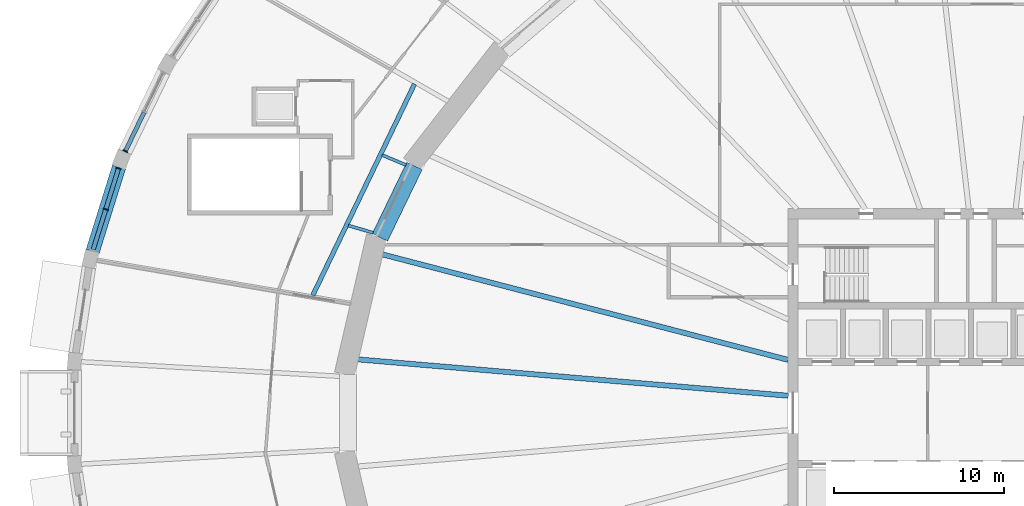
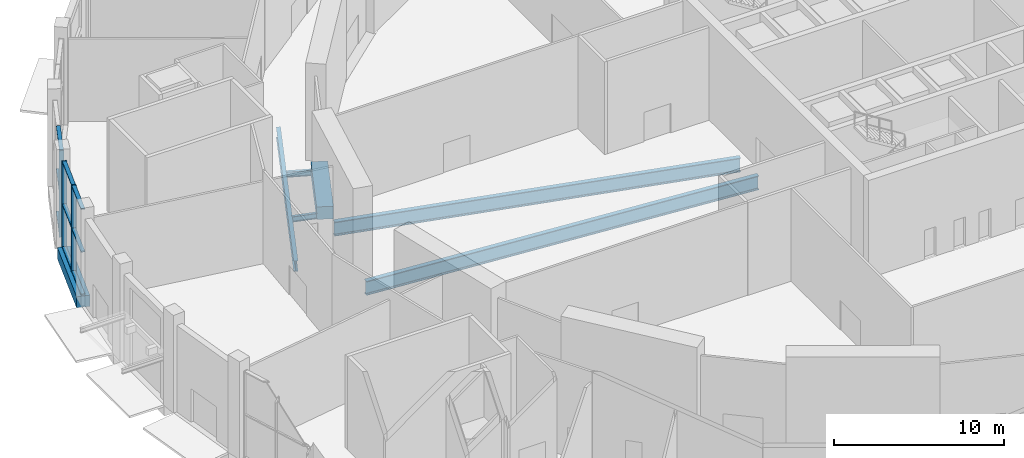
# One storey, part 5 of 33: 12 members, 7 beams, 2 elements without a shape of their own.
"""IFC4 building model written with IfcOpenShell, lengths in metres."""

from ifc_helpers import new_model, si_unit, direction, frame, origin, origin_2d, place, context, subcontext, project, spatial, rectangle, i_section, extrude, material, material_profile, profile_set, type_object, element, aggregate, save


model = new_model("IFC4")

# Units and contexts
model_context = context("Model", 3, precision=1e-05, world=origin(), true_north=direction((0.0, 1.0)))
body_context = subcontext(model_context, "Body", "Model", "MODEL_VIEW")
ifc_project = project(units=[si_unit("LENGTHUNIT", "METRE"), si_unit("AREAUNIT", "SQUARE_METRE"), si_unit("VOLUMEUNIT", "CUBIC_METRE"), si_unit("PLANEANGLEUNIT", "RADIAN"), si_unit("MASSUNIT", "GRAM", prefix="KILO")], contexts=[model_context])

# Site, building, storey
site_placement = place(None, origin())
site = spatial("IfcSite", under=ifc_project, at=site_placement, CompositionType="ELEMENT")
building_placement = place(site_placement, origin())
building = spatial("IfcBuilding", under=site, at=building_placement, Name="Halqa Exchange Tower", CompositionType="ELEMENT")
storey_placement = place(building_placement, origin())
storey = spatial("IfcBuildingStorey", under=building, at=storey_placement, Name="L00", CompositionType="ELEMENT", Elevation=0.0)

# Beams
ifc_material_1 = material(Name="Steel S355", Category="steel")
ifc_material_profile_1 = material_profile(ifc_material_1, i_section(OverallWidth=0.302001953125, OverallDepth=1.008056640625, WebThickness=0.02099609375, FlangeThickness=0.0400390625, FilletRadius=0.030029296875, at=origin_2d()), Name="HEM 1000")
ifc_profile_set_1 = profile_set([ifc_material_profile_1], Name="Steel S355")
beam_type_1 = type_object("IfcBeamType", Name="Floor beam HEM 1000", PredefinedType="BEAM", material=ifc_profile_set_1)
beam_1_placement = place(storey_placement, frame((-11.971435546875, 3.11279296875, -0.9541015625), z_axis=(-0.967821064299, 0.251639399735, 0.0), x_axis=(-0.251639399735, -0.967821064299, 0.0)))
element("IfcBeam", 1, at=beam_1_placement, inside=storey, type_object=beam_type_1, Name="Radial beam 15", PredefinedType="BEAM", context=body_context, shape_type="SweptSolid", body=[
    extrude(i_section(OverallWidth=0.302001953125, OverallDepth=1.008056640625, WebThickness=0.02099609375, FlangeThickness=0.0400390625, FilletRadius=0.030029296875, at=origin_2d()), origin(), (0.0, 0.0, 1.0), 24.7314453125),
])
beam_2_placement = place(storey_placement, frame((-11.972412109375, 1.0107421875, -0.9541015625), z_axis=(-0.996455167327, 0.084125498561, 0.0), x_axis=(-0.084125498561, -0.996455167327, 0.0)))
element("IfcBeam", 2, at=beam_2_placement, inside=storey, type_object=beam_type_1, Name="Radial beam 16", PredefinedType="BEAM", context=body_context, shape_type="SweptSolid", body=[
    extrude(i_section(OverallWidth=0.302001953125, OverallDepth=1.008056640625, WebThickness=0.02099609375, FlangeThickness=0.0400390625, FilletRadius=0.030029296875, at=origin_2d()), origin(), (0.0, 0.0, 1.0), 25.460205078125),
])
ifc_material_profile_2 = material_profile(ifc_material_1, i_section(OverallWidth=0.179931640625, OverallDepth=0.39990234375, WebThickness=0.008544921875, FlangeThickness=0.013427734375, FilletRadius=0.02099609375, at=origin_2d()), Name="IPE 400")
ifc_profile_set_2 = profile_set([ifc_material_profile_2], Name="Steel S355")
beam_type_2 = type_object("IfcBeamType", Name="Floor beam IPE 400", PredefinedType="BEAM", material=ifc_profile_set_2)
beam_3_placement = place(storey_placement, frame((-34.423583984375, 14.555419921875, -0.64990234375), z_axis=(-0.921076708702, 0.389381171459, 0.0), x_axis=(-0.389381171459, -0.921076708702, 0.0)))
element("IfcBeam", 3, at=beam_3_placement, inside=storey, type_object=beam_type_2, Name="Radial beam 21a", PredefinedType="BEAM", context=body_context, shape_type="SweptSolid", body=[
    extrude(i_section(OverallWidth=0.179931640625, OverallDepth=0.39990234375, WebThickness=0.008544921875, FlangeThickness=0.013427734375, FilletRadius=0.02099609375, at=origin_2d()), origin(), (0.0, 0.0, 1.0), 1.5078125),
])
beam_4_placement = place(storey_placement, frame((-36.34521484375, 10.578369140625, -0.64990234375), z_axis=(-0.960174163417, 0.279402175917, 0.0), x_axis=(-0.279402175917, -0.960174163417, 0.0)))
element("IfcBeam", 4, at=beam_4_placement, inside=storey, type_object=beam_type_2, Name="Radial beam 22a", PredefinedType="BEAM", context=body_context, shape_type="SweptSolid", body=[
    extrude(i_section(OverallWidth=0.179931640625, OverallDepth=0.39990234375, WebThickness=0.008544921875, FlangeThickness=0.013427734375, FilletRadius=0.02099609375, at=origin_2d()), origin(), (0.0, 0.0, 1.0), 1.521240234375),
])
ifc_material_profile_3 = material_profile(ifc_material_1, i_section(OverallWidth=0.264892578125, OverallDepth=0.7529296875, WebThickness=0.01318359375, FlangeThickness=0.01708984375, FilletRadius=0.01708984375, at=origin_2d()), Name="IPE 750x147")
ifc_profile_set_3 = profile_set([ifc_material_profile_3], Name="Steel S355")
beam_type_3 = type_object("IfcBeamType", Name="Floor beam IPE 750x147", PredefinedType="BEAM", material=ifc_profile_set_3)
beam_5_placement = place(storey_placement, frame((-33.92041015625, 19.3134765625, -0.826416015625), z_axis=(-0.433856142987, -0.900982156978, 0.0), x_axis=(0.900982156978, -0.433856142987, 0.0)))
element("IfcBeam", 5, at=beam_5_placement, inside=storey, type_object=beam_type_3, Name="Radial beam TSS3-in", PredefinedType="BEAM", context=body_context, shape_type="SweptSolid", body=[
    extrude(i_section(OverallWidth=0.264892578125, OverallDepth=0.7529296875, WebThickness=0.01318359375, FlangeThickness=0.01708984375, FilletRadius=0.01708984375, at=origin_2d()), origin(), (0.0, 0.0, 1.0), 13.766357421875),
])
ifc_material_2 = material(Name="Concrete C60/75", Category="concrete")
ifc_material_profile_4 = material_profile(ifc_material_2, rectangle(XDim=0.800048828125, YDim=0.800048828125, at=origin_2d()), Name="800 x 800")
ifc_profile_set_4 = profile_set([ifc_material_profile_4], Name="Concrete C60/75")
beam_type_4 = type_object("IfcBeamType", Name="RC podium edge beam 800 x 800 C60/75", PredefinedType="SPANDREL", material=ifc_profile_set_4)
beam_6_placement = place(storey_placement, frame((-51.275390625, 14.430419921875, -0.39990234375), z_axis=(-0.298331338153, -0.954462368392, 0.0), x_axis=(0.954462368392, -0.298331338153, 0.0)))
element("IfcBeam", 6, at=beam_6_placement, inside=storey, type_object=beam_type_4, Name="Podium edge beam 22", PredefinedType="SPANDREL", context=body_context, shape_type="SweptSolid", body=[
    extrude(rectangle(XDim=0.800048828125, YDim=0.800048828125, at=origin_2d()), origin(), (0.0, 0.0, 1.0), 5.180908203125),
])
ifc_material_profile_5 = material_profile(ifc_material_2, rectangle(XDim=1.0, YDim=0.89990234375, at=origin_2d()), Name="1000 x 900")
ifc_profile_set_5 = profile_set([ifc_material_profile_5], Name="Concrete C60/75")
beam_type_5 = type_object("IfcBeamType", Name="RC spandrel beam 1000 x 900 C60/75", PredefinedType="SPANDREL", material=ifc_profile_set_5)
beam_7_placement = place(storey_placement, frame((-33.923095703125, 14.505615234375, -0.449951171875), z_axis=(-0.435068215878, -0.900397494184, 0.0), x_axis=(0.900397494184, -0.435068215878, 0.0)))
element("IfcBeam", 7, at=beam_7_placement, inside=storey, type_object=beam_type_5, Name="Spandrel 14", PredefinedType="SPANDREL", context=body_context, shape_type="SweptSolid", body=[
    extrude(rectangle(XDim=1.0, YDim=0.89990234375, at=origin_2d()), origin(), (0.0, 0.0, 1.0), 4.6630859375),
])

# Curtain wall, member
ifc_material_3 = material(Name="Anodised aluminium and clear glass", Category="aluminium")
curtain_wall_type = type_object("IfcCurtainWallType", Name="Station concourse glazing", PredefinedType="NOTDEFINED", material=ifc_material_3)
curtain_wall_1_placement = place(storey_placement, origin())
curtain_wall_1 = element("IfcCurtainWall", 8, at=curtain_wall_1_placement, inside=storey, type_object=curtain_wall_type, Name="Station concourse glazing run P21", PredefinedType="NOTDEFINED")
ifc_material_4 = material(Name="Anodised aluminium", Category="aluminium")
ifc_material_profile_6 = material_profile(ifc_material_4, rectangle(XDim=0.300048828125, YDim=0.080078125, at=origin_2d()), Name="AL 80x300")
ifc_profile_set_6 = profile_set([ifc_material_profile_6], Name="Anodised aluminium")
member_type_1 = type_object("IfcMemberType", Name="Station concourse glazing mullion 80 x 300", PredefinedType="MULLION", material=ifc_profile_set_6)
member_1_placement = place(storey_placement, frame((-50.8994140625, 15.368896484375, 0.0), z_axis=(0.0, 0.0, 1.0), x_axis=(0.90043534892, -0.434989864727, 0.0)))
member_1 = element("IfcMember", 9, at=member_1_placement, type_object=member_type_1, Name="P21 mullion 3", PredefinedType="MULLION", context=body_context, shape_type="SweptSolid", body=[
    extrude(rectangle(XDim=0.300048828125, YDim=0.080078125, at=origin_2d()), origin(), (0.0, 0.0, 1.0), 6.199951171875),
])

# Curtain wall, members
curtain_wall_2_placement = place(storey_placement, origin())
curtain_wall_2 = element("IfcCurtainWall", 10, at=curtain_wall_2_placement, inside=storey, type_object=curtain_wall_type, Name="Station concourse glazing run P22", PredefinedType="NOTDEFINED")
member_2_placement = place(storey_placement, frame((-51.295166015625, 14.3671875, 0.0), z_axis=(0.0, 0.0, 1.0), x_axis=(0.95447130463, -0.298302746613, 0.0)))
member_2 = element("IfcMember", 11, at=member_2_placement, type_object=member_type_1, Name="P22 mullion 1", PredefinedType="MULLION", context=body_context, shape_type="SweptSolid", body=[
    extrude(rectangle(XDim=0.300048828125, YDim=0.080078125, at=origin_2d()), origin(), (0.0, 0.0, 1.0), 6.199951171875),
])
member_3_placement = place(storey_placement, frame((-52.04833984375, 11.957763671875, 0.0), z_axis=(0.0, 0.0, 1.0), x_axis=(0.95447130463, -0.298302746613, 0.0)))
member_3 = element("IfcMember", 12, at=member_3_placement, type_object=member_type_1, Name="P22 mullion 2", PredefinedType="MULLION", context=body_context, shape_type="SweptSolid", body=[
    extrude(rectangle(XDim=0.300048828125, YDim=0.080078125, at=origin_2d()), origin(), (0.0, 0.0, 1.0), 6.199951171875),
])

# Member
ifc_material_profile_7 = material_profile(ifc_material_4, rectangle(XDim=0.25, YDim=0.080078125, at=origin_2d()), Name="AL 80x250")
ifc_profile_set_7 = profile_set([ifc_material_profile_7], Name="Anodised aluminium")
member_type_2 = type_object("IfcMemberType", Name="Station concourse glazing transom 80 x 250", PredefinedType="USERDEFINED", material=ifc_profile_set_7)
member_4_placement = place(storey_placement, frame((-49.800048828125, 17.644287109375, 0.0400390625), z_axis=(-0.434960430971, -0.900449567433, 0.0), x_axis=(0.900449567433, -0.434960430971, 0.0)))
member_4 = element("IfcMember", 13, at=member_4_placement, type_object=member_type_2, Name="P21 transom 2.1", ObjectType="TRANSOM", PredefinedType="USERDEFINED", context=body_context, shape_type="SweptSolid", body=[
    extrude(rectangle(XDim=0.25, YDim=0.080078125, at=origin_2d()), origin(), (0.0, 0.0, 1.0), 2.487060546875),
])

member_5_placement = place(storey_placement, frame((-49.800048828125, 17.644287109375, 3.10009765625), z_axis=(-0.434960430971, -0.900449567433, 0.0), x_axis=(0.900449567433, -0.434960430971, 0.0)))
member_5 = element("IfcMember", 14, at=member_5_placement, type_object=member_type_2, Name="P21 transom 2.2", ObjectType="TRANSOM", PredefinedType="USERDEFINED", context=body_context, shape_type="SweptSolid", body=[
    extrude(rectangle(XDim=0.25, YDim=0.080078125, at=origin_2d()), origin(), (0.0, 0.0, 1.0), 2.487060546875),
])

member_6_placement = place(storey_placement, frame((-49.800048828125, 17.644287109375, 6.159912109375), z_axis=(-0.434960430971, -0.900449567433, 0.0), x_axis=(0.900449567433, -0.434960430971, 0.0)))
member_6 = element("IfcMember", 15, at=member_6_placement, type_object=member_type_2, Name="P21 transom 2.3", ObjectType="TRANSOM", PredefinedType="USERDEFINED", context=body_context, shape_type="SweptSolid", body=[
    extrude(rectangle(XDim=0.25, YDim=0.080078125, at=origin_2d()), origin(), (0.0, 0.0, 1.0), 2.487060546875),
])

aggregate(curtain_wall_1, [member_1, member_4, member_5, member_6])

member_7_placement = place(storey_placement, frame((-51.30712890625, 14.3291015625, 0.0400390625), z_axis=(-0.298314799128, -0.954467537751, 0.0), x_axis=(0.954467537751, -0.298314799128, 0.0)))
member_7 = element("IfcMember", 16, at=member_7_placement, type_object=member_type_2, Name="P22 transom 1.1", ObjectType="TRANSOM", PredefinedType="USERDEFINED", context=body_context, shape_type="SweptSolid", body=[
    extrude(rectangle(XDim=0.25, YDim=0.080078125, at=origin_2d()), origin(), (0.0, 0.0, 1.0), 2.444580078125),
])

member_8_placement = place(storey_placement, frame((-51.30712890625, 14.3291015625, 3.10009765625), z_axis=(-0.298314799128, -0.954467537751, 0.0), x_axis=(0.954467537751, -0.298314799128, 0.0)))
member_8 = element("IfcMember", 17, at=member_8_placement, type_object=member_type_2, Name="P22 transom 1.2", ObjectType="TRANSOM", PredefinedType="USERDEFINED", context=body_context, shape_type="SweptSolid", body=[
    extrude(rectangle(XDim=0.25, YDim=0.080078125, at=origin_2d()), origin(), (0.0, 0.0, 1.0), 2.444580078125),
])

member_9_placement = place(storey_placement, frame((-51.30712890625, 14.3291015625, 6.159912109375), z_axis=(-0.298314799128, -0.954467537751, 0.0), x_axis=(0.954467537751, -0.298314799128, 0.0)))
member_9 = element("IfcMember", 18, at=member_9_placement, type_object=member_type_2, Name="P22 transom 1.3", ObjectType="TRANSOM", PredefinedType="USERDEFINED", context=body_context, shape_type="SweptSolid", body=[
    extrude(rectangle(XDim=0.25, YDim=0.080078125, at=origin_2d()), origin(), (0.0, 0.0, 1.0), 2.444580078125),
])

member_10_placement = place(storey_placement, frame((-52.060302734375, 11.91943359375, 0.0400390625), z_axis=(-0.298314799128, -0.954467537751, 0.0), x_axis=(0.954467537751, -0.298314799128, 0.0)))
member_10 = element("IfcMember", 19, at=member_10_placement, type_object=member_type_2, Name="P22 transom 2.1", ObjectType="TRANSOM", PredefinedType="USERDEFINED", context=body_context, shape_type="SweptSolid", body=[
    extrude(rectangle(XDim=0.25, YDim=0.080078125, at=origin_2d()), origin(), (0.0, 0.0, 1.0), 2.444580078125),
])

member_11_placement = place(storey_placement, frame((-52.060302734375, 11.91943359375, 3.10009765625), z_axis=(-0.298314799128, -0.954467537751, 0.0), x_axis=(0.954467537751, -0.298314799128, 0.0)))
member_11 = element("IfcMember", 20, at=member_11_placement, type_object=member_type_2, Name="P22 transom 2.2", ObjectType="TRANSOM", PredefinedType="USERDEFINED", context=body_context, shape_type="SweptSolid", body=[
    extrude(rectangle(XDim=0.25, YDim=0.080078125, at=origin_2d()), origin(), (0.0, 0.0, 1.0), 2.444580078125),
])

member_12_placement = place(storey_placement, frame((-52.060302734375, 11.91943359375, 6.159912109375), z_axis=(-0.298314799128, -0.954467537751, 0.0), x_axis=(0.954467537751, -0.298314799128, 0.0)))
member_12 = element("IfcMember", 21, at=member_12_placement, type_object=member_type_2, Name="P22 transom 2.3", ObjectType="TRANSOM", PredefinedType="USERDEFINED", context=body_context, shape_type="SweptSolid", body=[
    extrude(rectangle(XDim=0.25, YDim=0.080078125, at=origin_2d()), origin(), (0.0, 0.0, 1.0), 2.444580078125),
])

aggregate(curtain_wall_2, [member_2, member_3, member_7, member_8, member_9, member_10, member_11, member_12])

save(model, "model.ifc")
